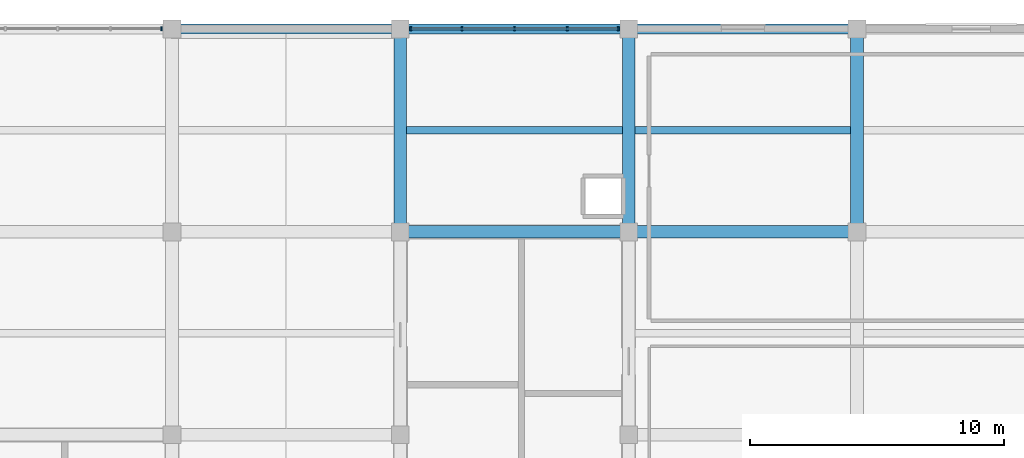
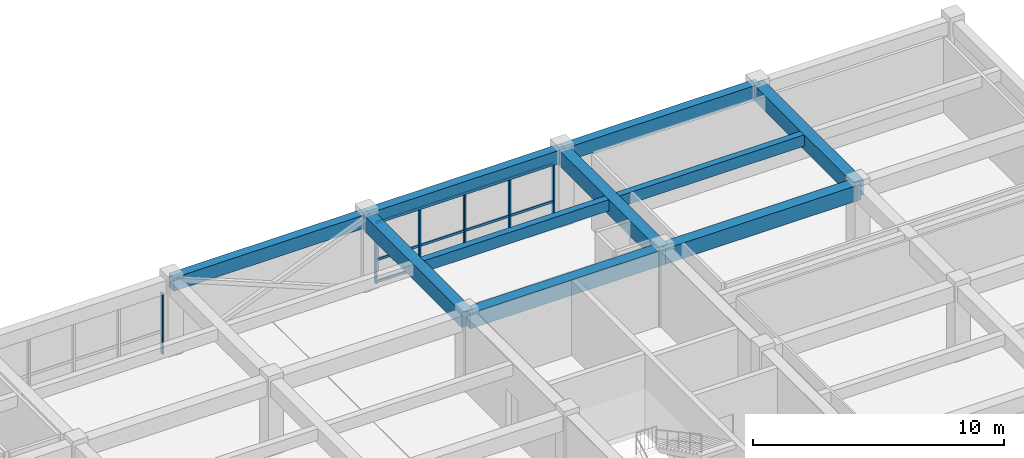
# One storey, part 8 of 13: 10 beams, 9 members, 2 elements without a shape of their own.
"""IFC4 building model written with IfcOpenShell, lengths in metres."""

from ifc_helpers import new_model, si_unit, direction, frame, origin, origin_2d, place, context, subcontext, project, spatial, rectangle, extrude, material, material_profile, profile_set, type_object, element, aggregate, save


model = new_model("IFC4")

# Units and contexts
model_context = context("Model", 3, precision=1e-05, world=origin(), true_north=direction((0.0, 1.0)))
body_context = subcontext(model_context, "Body", "Model", "MODEL_VIEW")
ifc_project = project(units=[si_unit("LENGTHUNIT", "METRE"), si_unit("AREAUNIT", "SQUARE_METRE"), si_unit("VOLUMEUNIT", "CUBIC_METRE"), si_unit("PLANEANGLEUNIT", "RADIAN"), si_unit("MASSUNIT", "GRAM", prefix="KILO")], contexts=[model_context])

# Site, building, storey
site_placement = place(None, origin())
site = spatial("IfcSite", under=ifc_project, at=site_placement, CompositionType="ELEMENT")
building_placement = place(site_placement, origin())
building = spatial("IfcBuilding", under=site, at=building_placement, Name="Zaverband Oceanarium and Marine Research Institute", CompositionType="ELEMENT")
storey_placement = place(building_placement, frame((0.0, 0.0, 60.89990234375)))
storey = spatial("IfcBuildingStorey", under=building, at=storey_placement, Name="L15", CompositionType="ELEMENT", Elevation=60.89990234375)

# Beams
ifc_material_1 = material(Name="Concrete C40/50", Category="concrete")
ifc_material_profile_1 = material_profile(ifc_material_1, rectangle(XDim=0.5, YDim=0.75, at=origin_2d()), Name="RC500x750")
ifc_profile_set_1 = profile_set([ifc_material_profile_1], Name="Concrete C40/50")
beam_type_1 = type_object("IfcBeamType", Name="BM-500x750", PredefinedType="BEAM", material=ifc_profile_set_1)
for number, where, z_axis, x_axis, name in (
    (1, (36.0, 104.0, 3.275146484375), (1.0, 0.0, 0.0), (0.0, 1.0, 0.0), "Primary floor girder BM-500x750"),
    (2, (45.0, 104.0, 3.275146484375), (1.0, 0.0, 0.0), (0.0, 1.0, 0.0), "Primary floor girder BM-500x750"),
):
    element("IfcBeam", number, at=place(storey_placement, frame(where, z_axis=z_axis, x_axis=x_axis)), inside=storey, type_object=beam_type_1, Name=name, PredefinedType="BEAM", context=body_context, shape_type="SweptSolid", body=[
        extrude(rectangle(XDim=0.5, YDim=0.75, at=origin_2d()), origin(), (0.0, 0.0, 1.0), 9.0),
    ])
for number, where, z_axis, x_axis, name in (
    (3, (36.0, 104.0, 3.275146484375), (0.0, 1.0, 0.0), (-1.0, 0.0, 0.0), "Primary floor girder BM-500x750"),
    (4, (45.0, 104.0, 3.275146484375), (0.0, 1.0, 0.0), (-1.0, 0.0, 0.0), "Primary floor girder BM-500x750"),
    (5, (54.0, 104.0, 3.275146484375), (0.0, 1.0, 0.0), (-1.0, 0.0, 0.0), "Primary floor girder BM-500x750"),
):
    element("IfcBeam", number, at=place(storey_placement, frame(where, z_axis=z_axis, x_axis=x_axis)), inside=storey, type_object=beam_type_1, Name=name, PredefinedType="BEAM", context=body_context, shape_type="SweptSolid", body=[
        extrude(rectangle(XDim=0.5, YDim=0.75, at=origin_2d()), origin(), (0.0, 0.0, 1.0), 8.0),
    ])
ifc_material_profile_2 = material_profile(ifc_material_1, rectangle(XDim=0.300048828125, YDim=0.550048828125, at=origin_2d()), Name="RC300x550")
ifc_profile_set_2 = profile_set([ifc_material_profile_2], Name="Concrete C40/50")
beam_type_2 = type_object("IfcBeamType", Name="JST-300x550", PredefinedType="JOIST", material=ifc_profile_set_2)
for number, where, z_axis, x_axis, name in (
    (6, (36.25, 108.0, 3.375), (1.0, 0.0, 0.0), (0.0, 1.0, 0.0), "Secondary floor joist JST-300x550"),
    (7, (45.25, 108.0, 3.375), (1.0, 0.0, 0.0), (0.0, 1.0, 0.0), "Secondary floor joist JST-300x550"),
):
    element("IfcBeam", number, at=place(storey_placement, frame(where, z_axis=z_axis, x_axis=x_axis)), inside=storey, type_object=beam_type_2, Name=name, PredefinedType="JOIST", context=body_context, shape_type="SweptSolid", body=[
        extrude(rectangle(XDim=0.300048828125, YDim=0.550048828125, at=origin_2d()), origin(), (0.0, 0.0, 1.0), 8.5),
    ])

# Curtain wall, member
ifc_material_2 = material(Name="Thermally broken anodized aluminium and solar-control glass", Category="aluminium")
curtain_wall_type = type_object("IfcCurtainWallType", Name="CW-UNIT-1800", PredefinedType="NOTDEFINED", material=ifc_material_2)
curtain_wall_1_placement = place(storey_placement, origin())
curtain_wall_1 = element("IfcCurtainWall", 8, at=curtain_wall_1_placement, inside=storey, type_object=curtain_wall_type, Name="Unitised glazed curtain wall CW-160", PredefinedType="NOTDEFINED")
ifc_material_3 = material(Name="Thermally broken anodized aluminium", Category="aluminium")
ifc_material_profile_3 = material_profile(ifc_material_3, rectangle(XDim=0.070068359375, YDim=0.14990234375, at=origin_2d()), Name="AL-MUL-70x150")
ifc_profile_set_3 = profile_set([ifc_material_profile_3], Name="Thermally broken anodized aluminium")
member_type_1 = type_object("IfcMemberType", Name="MUL-70x150", PredefinedType="MULLION", material=ifc_profile_set_3)
member_1_placement = place(storey_placement, frame((26.5849609375, 112.0, 0.0), z_axis=(0.0, 0.0, 1.0), x_axis=(1.0, 0.0, 0.0)))
member_1 = element("IfcMember", 9, at=member_1_placement, type_object=member_type_1, Name="Curtain wall vertical mullion MUL-70x150", PredefinedType="MULLION", context=body_context, shape_type="SweptSolid", body=[
    extrude(rectangle(XDim=0.070068359375, YDim=0.14990234375, at=origin_2d()), origin(), (0.0, 0.0, 1.0), 2.97998046875),
])
aggregate(curtain_wall_1, [member_1])

# Curtain wall, members
curtain_wall_2_placement = place(storey_placement, origin())
curtain_wall_2 = element("IfcCurtainWall", 10, at=curtain_wall_2_placement, inside=storey, type_object=curtain_wall_type, Name="Unitised glazed curtain wall CW-161", PredefinedType="NOTDEFINED")
member_2_placement = place(storey_placement, frame((36.4150390625, 112.0, 0.0), z_axis=(0.0, 0.0, 1.0), x_axis=(1.0, 0.0, 0.0)))
member_2 = element("IfcMember", 11, at=member_2_placement, type_object=member_type_1, Name="Curtain wall vertical mullion MUL-70x150", PredefinedType="MULLION", context=body_context, shape_type="SweptSolid", body=[
    extrude(rectangle(XDim=0.070068359375, YDim=0.14990234375, at=origin_2d()), origin(), (0.0, 0.0, 1.0), 2.97998046875),
])
member_3_placement = place(storey_placement, frame((38.427490234375, 112.0, 0.0), z_axis=(0.0, 0.0, 1.0), x_axis=(1.0, 0.0, 0.0)))
member_3 = element("IfcMember", 12, at=member_3_placement, type_object=member_type_1, Name="Curtain wall vertical mullion MUL-70x150", PredefinedType="MULLION", context=body_context, shape_type="SweptSolid", body=[
    extrude(rectangle(XDim=0.070068359375, YDim=0.14990234375, at=origin_2d()), origin(), (0.0, 0.0, 1.0), 2.97998046875),
])
member_4_placement = place(storey_placement, frame((40.5, 112.0, 0.0), z_axis=(0.0, 0.0, 1.0), x_axis=(1.0, 0.0, 0.0)))
member_4 = element("IfcMember", 13, at=member_4_placement, type_object=member_type_1, Name="Curtain wall vertical mullion MUL-70x150", PredefinedType="MULLION", context=body_context, shape_type="SweptSolid", body=[
    extrude(rectangle(XDim=0.070068359375, YDim=0.14990234375, at=origin_2d()), origin(), (0.0, 0.0, 1.0), 2.97998046875),
])
member_5_placement = place(storey_placement, frame((42.572509765625, 112.0, 0.0), z_axis=(0.0, 0.0, 1.0), x_axis=(1.0, 0.0, 0.0)))
member_5 = element("IfcMember", 14, at=member_5_placement, type_object=member_type_1, Name="Curtain wall vertical mullion MUL-70x150", PredefinedType="MULLION", context=body_context, shape_type="SweptSolid", body=[
    extrude(rectangle(XDim=0.070068359375, YDim=0.14990234375, at=origin_2d()), origin(), (0.0, 0.0, 1.0), 2.97998046875),
])
member_6_placement = place(storey_placement, frame((44.5849609375, 112.0, 0.0), z_axis=(0.0, 0.0, 1.0), x_axis=(1.0, 0.0, 0.0)))
member_6 = element("IfcMember", 15, at=member_6_placement, type_object=member_type_1, Name="Curtain wall vertical mullion MUL-70x150", PredefinedType="MULLION", context=body_context, shape_type="SweptSolid", body=[
    extrude(rectangle(XDim=0.070068359375, YDim=0.14990234375, at=origin_2d()), origin(), (0.0, 0.0, 1.0), 2.97998046875),
])

# Beams
ifc_material_profile_4 = material_profile(ifc_material_1, rectangle(XDim=0.39990234375, YDim=0.64990234375, at=origin_2d()), Name="RC400x650")
ifc_profile_set_4 = profile_set([ifc_material_profile_4], Name="Concrete C40/50")
beam_type_3 = type_object("IfcBeamType", Name="SPN-400x650", PredefinedType="SPANDREL", material=ifc_profile_set_4)
for number, where, z_axis, x_axis, name in (
    (16, (27.0, 112.0, 3.3251953125), (1.0, 0.0, 0.0), (0.0, 1.0, 0.0), "Perimeter spandrel beam SPN-400x650"),
    (17, (36.0, 112.0, 3.3251953125), (1.0, 0.0, 0.0), (0.0, 1.0, 0.0), "Perimeter spandrel beam SPN-400x650"),
    (18, (45.0, 112.0, 3.3251953125), (1.0, 0.0, 0.0), (0.0, 1.0, 0.0), "Perimeter spandrel beam SPN-400x650"),
):
    element("IfcBeam", number, at=place(storey_placement, frame(where, z_axis=z_axis, x_axis=x_axis)), inside=storey, type_object=beam_type_3, Name=name, PredefinedType="SPANDREL", context=body_context, shape_type="SweptSolid", body=[
        extrude(rectangle(XDim=0.39990234375, YDim=0.64990234375, at=origin_2d()), origin(), (0.0, 0.0, 1.0), 9.0),
    ])

# Member
ifc_material_profile_5 = material_profile(ifc_material_3, rectangle(XDim=0.070068359375, YDim=0.114990234375, at=origin_2d()), Name="AL-TRN-70x115")
ifc_profile_set_5 = profile_set([ifc_material_profile_5], Name="Thermally broken anodized aluminium")
member_type_2 = type_object("IfcMemberType", Name="TRN-70x115", PredefinedType="USERDEFINED", material=ifc_profile_set_5)
member_7_placement = place(storey_placement, frame((36.4150390625, 112.0, 0.050048828125), z_axis=(1.0, 0.0, 0.0), x_axis=(0.0, 1.0, 0.0)))
member_7 = element("IfcMember", 19, at=member_7_placement, type_object=member_type_2, Name="Curtain wall horizontal transom TRN-70x115", ObjectType="TRANSOM", PredefinedType="USERDEFINED", context=body_context, shape_type="SweptSolid", body=[
    extrude(rectangle(XDim=0.070068359375, YDim=0.114990234375, at=origin_2d()), origin(), (0.0, 0.0, 1.0), 8.169921875),
])

member_8_placement = place(storey_placement, frame((36.4150390625, 112.0, 1.123046875), z_axis=(1.0, 0.0, 0.0), x_axis=(0.0, 1.0, 0.0)))
member_8 = element("IfcMember", 20, at=member_8_placement, type_object=member_type_2, Name="Curtain wall horizontal transom TRN-70x115", ObjectType="TRANSOM", PredefinedType="USERDEFINED", context=body_context, shape_type="SweptSolid", body=[
    extrude(rectangle(XDim=0.070068359375, YDim=0.114990234375, at=origin_2d()), origin(), (0.0, 0.0, 1.0), 8.169921875),
])

member_9_placement = place(storey_placement, frame((36.4150390625, 112.0, 2.93017578125), z_axis=(1.0, 0.0, 0.0), x_axis=(0.0, 1.0, 0.0)))
member_9 = element("IfcMember", 21, at=member_9_placement, type_object=member_type_2, Name="Curtain wall horizontal transom TRN-70x115", ObjectType="TRANSOM", PredefinedType="USERDEFINED", context=body_context, shape_type="SweptSolid", body=[
    extrude(rectangle(XDim=0.070068359375, YDim=0.114990234375, at=origin_2d()), origin(), (0.0, 0.0, 1.0), 8.169921875),
])

aggregate(curtain_wall_2, [member_2, member_3, member_4, member_5, member_6, member_7, member_8, member_9])

save(model, "model.ifc")
